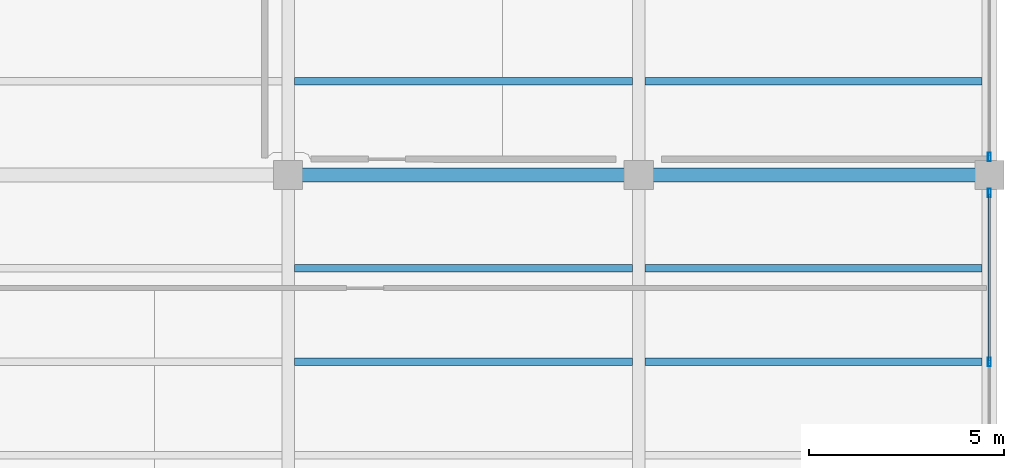
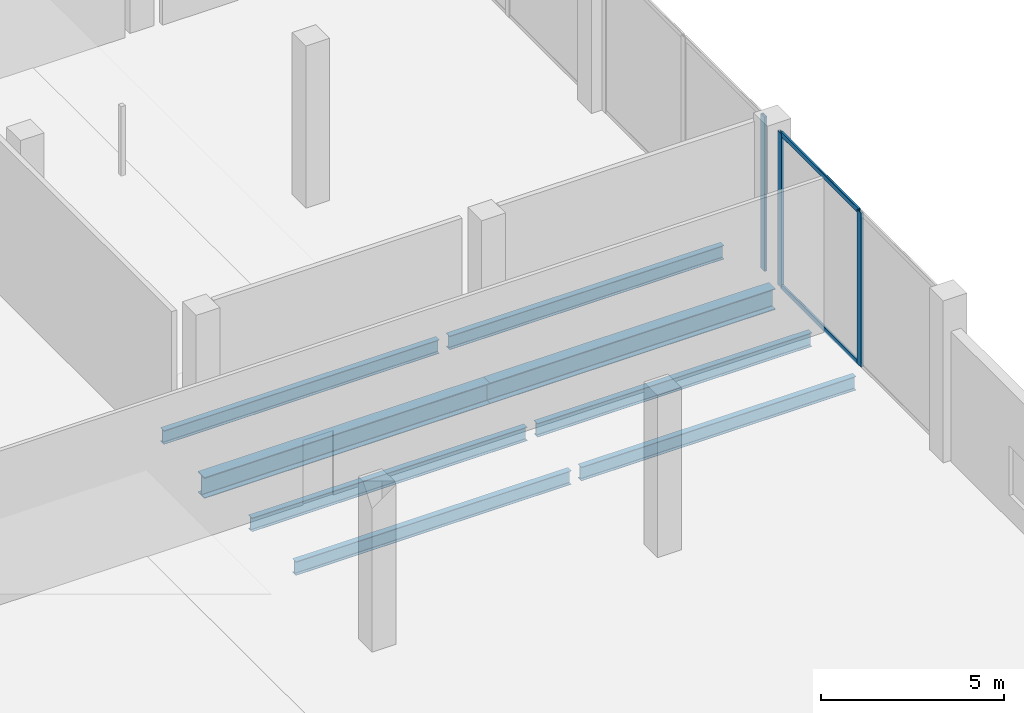
# One storey, part 16 of 47: 8 beams, 5 members, 2 elements without a shape of their own.
"""IFC4 building model written with IfcOpenShell, lengths in metres."""

import ifcopenshell
import ifcopenshell.guid

model = None  # the IFC model being written
_history = None  # IfcOwnerHistory: only IFC2X3 demands one
_inside = {}  # id of a spatial element -> (the spatial element, [elements in it])
_under = {}  # id of a project, library or spatial element -> (it, [spatial elements below it])
_declared = {}  # id of a project -> (the project, [libraries it declares])
_typed = {}  # id of a type object -> (the type object, [elements of that type])
_made_of = {}  # id of a material, layer set ... -> (it, [elements and type objects made of it])


def new_model(schema):
    """Start an empty IFC model of exactly this schema.

    Asked for "IFC4X3", IfcOpenShell would pick the latest addendum, in which some entities
    have other attributes; the version numbers below select the first issue.
    IFC2X3 requires an IfcOwnerHistory on every rooted entity: one is made here for all.
    """
    global model, _history
    if schema == "IFC4X3":
        model = ifcopenshell.file(schema_version=(4, 3, 0, 0))
    else:
        model = ifcopenshell.file(schema=schema)
    _inside.clear()
    _under.clear()
    _declared.clear()
    _typed.clear()
    _made_of.clear()
    _history = None
    if model.schema == "IFC2X3":
        org = make("IfcOrganization", Name="unknown")
        user = make(
            "IfcPersonAndOrganization",
            ThePerson=make("IfcPerson", FamilyName="unknown"),
            TheOrganization=org,
        )
        app = make(
            "IfcApplication",
            ApplicationDeveloper=org,
            Version="unknown",
            ApplicationFullName="unknown",
            ApplicationIdentifier="unknown",
        )
        _history = make(
            "IfcOwnerHistory",
            OwningUser=user,
            OwningApplication=app,
            ChangeAction="ADDED",
            CreationDate=0,
        )
    return model


def make(cls, **values):
    """One entity of the class cls with the attributes given. An attribute that is None is left unset."""
    return model.create_entity(
        cls, **{name: value for name, value in values.items() if value is not None}
    )


def rooted(cls, **values):
    """An entity with a GlobalId (a new one), such as an element, a storey or a relation."""
    return make(cls, GlobalId=ifcopenshell.guid.new(), OwnerHistory=_history, **values)


def si_unit(unit_type, name, prefix=None):
    """IfcSIUnit, for example si_unit("LENGTHUNIT", "METRE", prefix="MILLI")."""
    return make("IfcSIUnit", UnitType=unit_type, Prefix=prefix, Name=name)


def assignment(units):
    """IfcUnitAssignment: the units of a project."""
    return None if units is None else make("IfcUnitAssignment", Units=units)


def point(xyz):
    """IfcCartesianPoint."""
    return None if xyz is None else make("IfcCartesianPoint", Coordinates=xyz)


def direction(xyz):
    """IfcDirection."""
    return None if xyz is None else make("IfcDirection", DirectionRatios=xyz)


def frame(location, z_axis=None, x_axis=None):
    """IfcAxis2Placement3D, a coordinate frame: its origin and axes. An axis left out is left unset."""
    return make(
        "IfcAxis2Placement3D",
        Location=point(location),
        Axis=direction(z_axis),
        RefDirection=direction(x_axis),
    )


def frame_2d(location, x_axis=None):
    """IfcAxis2Placement2D, a coordinate frame in the plane: its origin and x axis."""
    return make(
        "IfcAxis2Placement2D", Location=point(location), RefDirection=direction(x_axis)
    )


def origin():
    """The frame at (0, 0, 0) with its axes left unset."""
    return frame((0.0, 0.0, 0.0))


def origin_2d():
    """The frame at (0, 0) in the plane with its x axis left unset."""
    return frame_2d((0.0, 0.0))


def place(relative_to, where):
    """IfcLocalPlacement: puts the frame where relative to a parent placement (None: the world)."""
    return make(
        "IfcLocalPlacement", PlacementRelTo=relative_to, RelativePlacement=where
    )


def context(
    kind, dimensions, precision=None, world=None, true_north=None, identifier=None
):
    """IfcGeometricRepresentationContext, for example the 3D "Model" context."""
    return make(
        "IfcGeometricRepresentationContext",
        ContextIdentifier=identifier,
        ContextType=kind,
        CoordinateSpaceDimension=dimensions,
        Precision=precision,
        WorldCoordinateSystem=world,
        TrueNorth=true_north,
    )


def subcontext(parent, identifier, kind, view, scale=None):
    """IfcGeometricRepresentationSubContext, for example "Body" below "Model"."""
    return make(
        "IfcGeometricRepresentationSubContext",
        ContextIdentifier=identifier,
        ContextType=kind,
        ParentContext=parent,
        TargetScale=scale,
        TargetView=view,
    )


def project(units=None, contexts=None):
    """IfcProject with its units and contexts."""
    return rooted(
        "IfcProject",
        Name="project",
        RepresentationContexts=contexts,
        UnitsInContext=assignment(units),
    )


def spatial(cls, under=None, at=None, **own):
    """A site, building, storey or space (cls), placed at a placement, below another one or the project."""
    s = rooted(cls, ObjectPlacement=at, **own)
    if under is not None:
        _under.setdefault(under.id(), (under, []))[1].append(s)
    return s


def profile(cls, at=None, kind="AREA", **sizes):
    """A parametric profile (cls). Its sizes go by their IFC names, for example OverallWidth=200.0."""
    return make(cls, ProfileType=kind, Position=at, **sizes)


def hollow_rectangle(**sizes):
    """IfcRectangleHollowProfileDef."""
    return profile("IfcRectangleHollowProfileDef", **sizes)


def i_section(**sizes):
    """IfcIShapeProfileDef."""
    return profile("IfcIShapeProfileDef", **sizes)


def extrude(swept, where, along, depth):
    """IfcExtrudedAreaSolid: the profile swept, set in the frame where, extruded along a direction by depth."""
    return make(
        "IfcExtrudedAreaSolid",
        SweptArea=swept,
        Position=where,
        ExtrudedDirection=direction(along),
        Depth=depth,
    )


def shape(context_of_items, identifier, shape_type, items):
    """IfcShapeRepresentation: the items that make up one representation, for example the "Body"."""
    return make(
        "IfcShapeRepresentation",
        ContextOfItems=context_of_items,
        RepresentationIdentifier=identifier,
        RepresentationType=shape_type,
        Items=items,
    )


def material(Name=None, Category=None):
    """IfcMaterial."""
    return make("IfcMaterial", Name=Name, Category=Category)


def layer(
    of_material, thickness, ventilated=None, Name=None, Category=None, Priority=None
):
    """IfcMaterialLayer: one layer of a wall or slab, of a material (None: an air gap)."""
    return make(
        "IfcMaterialLayer",
        Material=of_material,
        LayerThickness=thickness,
        IsVentilated=ventilated,
        Name=Name,
        Category=Category,
        Priority=Priority,
    )


def layer_set(layers, Name=None):
    """IfcMaterialLayerSet."""
    return make("IfcMaterialLayerSet", MaterialLayers=layers, LayerSetName=Name)


def material_profile(
    of_material, cross_section, Name=None, Category=None, Priority=None
):
    """IfcMaterialProfile: a cross section and its material."""
    return make(
        "IfcMaterialProfile",
        Name=Name,
        Material=of_material,
        Profile=cross_section,
        Priority=Priority,
        Category=Category,
    )


def profile_set(profiles, Name=None, composite=None):
    """IfcMaterialProfileSet."""
    return make(
        "IfcMaterialProfileSet",
        Name=Name,
        MaterialProfiles=profiles,
        CompositeProfile=composite,
    )


def made_of(thing, what):
    """Note that an element or type object is made of a material, layer set ...; save() writes the relation."""
    if what is not None:
        _made_of.setdefault(what.id(), (what, []))[1].append(thing)
    return thing


def type_object(cls, material=None, **own):
    """A type object (cls), such as IfcWallType, which elements share."""
    return made_of(rooted(cls, **own), material)


def element(
    cls,
    number,
    at=None,
    inside=None,
    cuts=None,
    type_object=None,
    material=None,
    context=None,
    identifier="Body",
    shape_type=None,
    held_by="IfcProductDefinitionShape",
    body=None,
    shapes=None,
    **own,
):
    """One element of the class cls, such as IfcWall. Its Tag is "e" and its number.

    at: its placement. inside: the storey or other place that contains it. cuts: it is an
    opening in that element (IfcRelVoidsElement). A single representation is given by context,
    identifier, shape_type and body (its items); several are given by shapes. held_by: the class
    of the entity that holds the representations. save() writes the other relations.
    """
    e = rooted(cls, Tag="e%d" % number, ObjectPlacement=at, **own)
    if body is not None:
        shapes = [shape(context, identifier, shape_type, body)]
    if shapes is not None:
        e.Representation = make(held_by, Representations=shapes)
    if inside is not None:
        _inside.setdefault(inside.id(), (inside, []))[1].append(e)
    if cuts is not None:
        rooted(
            "IfcRelVoidsElement", RelatingBuildingElement=cuts, RelatedOpeningElement=e
        )
    if type_object is not None:
        _typed.setdefault(type_object.id(), (type_object, []))[1].append(e)
    return made_of(e, material)


def aggregate(whole, parts):
    """IfcRelAggregates: a whole, such as a stair, and the parts it consists of."""
    return rooted("IfcRelAggregates", RelatingObject=whole, RelatedObjects=parts)


def save(model, path):
    """Write the relations noted so far, then the file.

    IfcRelAggregates (storeys below a building ...), IfcRelContainedInSpatialStructure (elements
    in a storey), IfcRelDefinesByType, IfcRelAssociatesMaterial and IfcRelDeclares: one each for
    every whole, place, type object, material and project.
    """
    for whole, parts in _under.values():
        aggregate(whole, parts)
    for where, things in _inside.values():
        rooted(
            "IfcRelContainedInSpatialStructure",
            RelatedElements=things,
            RelatingStructure=where,
        )
    for kind, things in _typed.values():
        rooted("IfcRelDefinesByType", RelatedObjects=things, RelatingType=kind)
    for what, things in _made_of.values():
        rooted("IfcRelAssociatesMaterial", RelatedObjects=things, RelatingMaterial=what)
    for by, libraries in _declared.values():
        rooted("IfcRelDeclares", RelatingContext=by, RelatedDefinitions=libraries)
    model.write(path)


model = new_model("IFC4")

# Units and contexts
model_context = context("Model", 3, precision=1e-05, world=origin(), true_north=direction((0.0, 1.0)))
body_context = subcontext(model_context, "Body", "Model", "MODEL_VIEW")
ifc_project = project(units=[si_unit("LENGTHUNIT", "METRE"), si_unit("AREAUNIT", "SQUARE_METRE"), si_unit("VOLUMEUNIT", "CUBIC_METRE"), si_unit("PLANEANGLEUNIT", "RADIAN"), si_unit("MASSUNIT", "GRAM", prefix="KILO")], contexts=[model_context])

# Site, building, storey
site_placement = place(None, origin())
site = spatial("IfcSite", under=ifc_project, at=site_placement, CompositionType="ELEMENT")
building_placement = place(site_placement, origin())
building = spatial("IfcBuilding", under=site, at=building_placement, Name="Qorvath Tower", CompositionType="ELEMENT")
storey_placement = place(building_placement, frame((0.0, 0.0, 6.60009765625)))
storey = spatial("IfcBuildingStorey", under=building, at=storey_placement, Name="L01", CompositionType="ELEMENT", Elevation=6.60009765625)

# Beams
ifc_material_1 = material(Name="Steel ASTM A992 Grade 50", Category="steel")
ifc_material_profile_1 = material_profile(ifc_material_1, i_section(OverallWidth=0.35595703125, OverallDepth=0.696044921875, WebThickness=0.015380859375, FlangeThickness=0.02490234375, FilletRadius=0.01806640625, at=origin_2d()), Name="W27x146")
ifc_profile_set_1 = profile_set([ifc_material_profile_1], Name="Steel ASTM A992 Grade 50")
beam_type_1 = type_object("IfcBeamType", Name="BM-FG4", PredefinedType="BEAM", material=ifc_profile_set_1)
for number, where, z_axis, x_axis, name in (
    (1, (59.39990234375, -9.60009765625, -0.60791015625), (1.0, 0.0, 0.0), (0.0, 1.0, 0.0), "Library E-W Girder L01-4-4"),
    (2, (68.39990234375, -9.60009765625, -0.60791015625), (1.0, 0.0, 0.0), (0.0, 1.0, 0.0), "Library E-W Girder L01-4-5"),
):
    element("IfcBeam", number, at=place(storey_placement, frame(where, z_axis=z_axis, x_axis=x_axis)), inside=storey, type_object=beam_type_1, Name=name, PredefinedType="BEAM", context=body_context, shape_type="SweptSolid", body=[
        extrude(i_section(OverallWidth=0.35595703125, OverallDepth=0.696044921875, WebThickness=0.015380859375, FlangeThickness=0.02490234375, FilletRadius=0.01806640625, at=origin_2d()), origin(), (0.0, 0.0, 1.0), 9.0),
    ])
ifc_material_2 = material(Name="Steel ASTM A992 Grade 50", Category="steel")
ifc_material_profile_2 = material_profile(ifc_material_2, i_section(OverallWidth=0.18994140625, OverallDepth=0.45703125, WebThickness=0.009033203125, FlangeThickness=0.014404296875, FilletRadius=0.011962890625, at=origin_2d()), Name="W18x50")
ifc_profile_set_2 = profile_set([ifc_material_profile_2], Name="Steel ASTM A992 Grade 50")
beam_type_2 = type_object("IfcBeamType", Name="BM-FJ2", PredefinedType="JOIST", material=ifc_profile_set_2)
beam_1_placement = place(storey_placement, frame((59.560546875, -14.39990234375, -0.488525390625), z_axis=(1.0, 0.0, 0.0), x_axis=(0.0, 1.0, 0.0)))
element("IfcBeam", 3, at=beam_1_placement, inside=storey, type_object=beam_type_2, Name="Library Stack Joist L01-3.2-4", PredefinedType="JOIST", context=body_context, shape_type="SweptSolid", body=[
    extrude(i_section(OverallWidth=0.18994140625, OverallDepth=0.45703125, WebThickness=0.009033203125, FlangeThickness=0.014404296875, FilletRadius=0.011962890625, at=origin_2d()), origin(), (0.0, 0.0, 1.0), 8.678955078125),
])
beam_2_placement = place(storey_placement, frame((68.560546875, -14.39990234375, -0.488525390625), z_axis=(1.0, 0.0, 0.0), x_axis=(0.0, 1.0, 0.0)))
element("IfcBeam", 4, at=beam_2_placement, inside=storey, type_object=beam_type_2, Name="Library Stack Joist L01-3.2-5", PredefinedType="JOIST", context=body_context, shape_type="SweptSolid", body=[
    extrude(i_section(OverallWidth=0.18994140625, OverallDepth=0.45703125, WebThickness=0.009033203125, FlangeThickness=0.014404296875, FilletRadius=0.011962890625, at=origin_2d()), origin(), (0.0, 0.0, 1.0), 8.65087890625),
])
beam_3_placement = place(storey_placement, frame((59.560546875, -12.0, -0.488525390625), z_axis=(1.0, 0.0, 0.0), x_axis=(0.0, 1.0, 0.0)))
element("IfcBeam", 5, at=beam_3_placement, inside=storey, type_object=beam_type_2, Name="Library Stack Joist L01-3.3-4", PredefinedType="JOIST", context=body_context, shape_type="SweptSolid", body=[
    extrude(i_section(OverallWidth=0.18994140625, OverallDepth=0.45703125, WebThickness=0.009033203125, FlangeThickness=0.014404296875, FilletRadius=0.011962890625, at=origin_2d()), origin(), (0.0, 0.0, 1.0), 8.678955078125),
])
beam_4_placement = place(storey_placement, frame((68.560546875, -12.0, -0.488525390625), z_axis=(1.0, 0.0, 0.0), x_axis=(0.0, 1.0, 0.0)))
element("IfcBeam", 6, at=beam_4_placement, inside=storey, type_object=beam_type_2, Name="Library Stack Joist L01-3.3-5", PredefinedType="JOIST", context=body_context, shape_type="SweptSolid", body=[
    extrude(i_section(OverallWidth=0.18994140625, OverallDepth=0.45703125, WebThickness=0.009033203125, FlangeThickness=0.014404296875, FilletRadius=0.011962890625, at=origin_2d()), origin(), (0.0, 0.0, 1.0), 8.65087890625),
])
beam_5_placement = place(storey_placement, frame((59.560546875, -7.199951171875, -0.488525390625), z_axis=(1.0, 0.0, 0.0), x_axis=(0.0, 1.0, 0.0)))
element("IfcBeam", 7, at=beam_5_placement, inside=storey, type_object=beam_type_2, Name="Library Stack Joist L01-4.1-4", PredefinedType="JOIST", context=body_context, shape_type="SweptSolid", body=[
    extrude(i_section(OverallWidth=0.18994140625, OverallDepth=0.45703125, WebThickness=0.009033203125, FlangeThickness=0.014404296875, FilletRadius=0.011962890625, at=origin_2d()), origin(), (0.0, 0.0, 1.0), 8.678955078125),
])
beam_6_placement = place(storey_placement, frame((68.560546875, -7.199951171875, -0.488525390625), z_axis=(1.0, 0.0, 0.0), x_axis=(0.0, 1.0, 0.0)))
element("IfcBeam", 8, at=beam_6_placement, inside=storey, type_object=beam_type_2, Name="Library Stack Joist L01-4.1-5", PredefinedType="JOIST", context=body_context, shape_type="SweptSolid", body=[
    extrude(i_section(OverallWidth=0.18994140625, OverallDepth=0.45703125, WebThickness=0.009033203125, FlangeThickness=0.014404296875, FilletRadius=0.011962890625, at=origin_2d()), origin(), (0.0, 0.0, 1.0), 8.65087890625),
])

# Curtain wall, members
ifc_material_3 = material(Name="Anodised aluminium and triple low-E glass", Category="aluminium")
ifc_layer = layer(ifc_material_3, 0.179931640625)
ifc_layer_set = layer_set([ifc_layer], Name="CW-SYS-6")
curtain_wall_type = type_object("IfcCurtainWallType", Name="CW-SYS-6", PredefinedType="NOTDEFINED", material=ifc_layer_set)
curtain_wall_1_placement = place(storey_placement, origin())
curtain_wall_1 = element("IfcCurtainWall", 9, at=curtain_wall_1_placement, inside=storey, type_object=curtain_wall_type, Name="Curtain Wall CW-6 CW-LIB-E-L01-3", PredefinedType="NOTDEFINED")
ifc_material_4 = material(Name="Anodised aluminium 6063-T6", Category="aluminium")
ifc_material_profile_3 = material_profile(ifc_material_4, hollow_rectangle(XDim=0.080078125, YDim=0.219970703125, WallThickness=0.00439453125, InnerFilletRadius=0.00439453125, OuterFilletRadius=0.009033203125, at=origin_2d()), Name="CWM LIB 220x80")
ifc_profile_set_3 = profile_set([ifc_material_profile_3], Name="Anodised aluminium 6063-T6")
member_type_1 = type_object("IfcMemberType", Name="CWM-LIB", PredefinedType="MULLION", material=ifc_profile_set_3)
member_1_placement = place(storey_placement, frame((77.39990234375, -14.39990234375, 0.0), z_axis=(0.0, 0.0, 1.0), x_axis=(-1.0, 0.0, 0.0)))
member_1 = element("IfcMember", 10, at=member_1_placement, type_object=member_type_1, Name="CW-6 mullion 2", PredefinedType="MULLION", context=body_context, shape_type="SweptSolid", body=[
    extrude(hollow_rectangle(XDim=0.080078125, YDim=0.219970703125, WallThickness=0.00439453125, InnerFilletRadius=0.00439453125, OuterFilletRadius=0.009033203125, at=origin_2d()), origin(), (0.0, 0.0, 1.0), 5.139892578125),
])
member_2_placement = place(storey_placement, frame((77.39990234375, -10.06005859375, 0.0), z_axis=(0.0, 0.0, 1.0), x_axis=(-1.0, 0.0, 0.0)))
member_2 = element("IfcMember", 11, at=member_2_placement, type_object=member_type_1, Name="CW-6 mullion 3", PredefinedType="MULLION", context=body_context, shape_type="SweptSolid", body=[
    extrude(hollow_rectangle(XDim=0.080078125, YDim=0.219970703125, WallThickness=0.00439453125, InnerFilletRadius=0.00439453125, OuterFilletRadius=0.009033203125, at=origin_2d()), origin(), (0.0, 0.0, 1.0), 5.139892578125),
])

# Curtain wall, member
curtain_wall_2_placement = place(storey_placement, origin())
curtain_wall_2 = element("IfcCurtainWall", 12, at=curtain_wall_2_placement, inside=storey, type_object=curtain_wall_type, Name="Curtain Wall CW-6 CW-LIB-E-L01-4", PredefinedType="NOTDEFINED")
member_3_placement = place(storey_placement, frame((77.39990234375, -9.139892578125, 0.0), z_axis=(0.0, 0.0, 1.0), x_axis=(-1.0, 0.0, 0.0)))
member_3 = element("IfcMember", 13, at=member_3_placement, type_object=member_type_1, Name="CW-6 mullion 1", PredefinedType="MULLION", context=body_context, shape_type="SweptSolid", body=[
    extrude(hollow_rectangle(XDim=0.080078125, YDim=0.219970703125, WallThickness=0.00439453125, InnerFilletRadius=0.00439453125, OuterFilletRadius=0.009033203125, at=origin_2d()), origin(), (0.0, 0.0, 1.0), 5.139892578125),
])
aggregate(curtain_wall_2, [member_3])

# Member
ifc_material_5 = material(Name="Anodised aluminium 6063-T6", Category="aluminium")
ifc_material_profile_4 = material_profile(ifc_material_5, hollow_rectangle(XDim=0.06494140625, YDim=0.159912109375, WallThickness=0.00341796875, InnerFilletRadius=0.00341796875, OuterFilletRadius=0.007080078125, at=origin_2d()), Name="CWT 160x65")
ifc_profile_set_4 = profile_set([ifc_material_profile_4], Name="Anodised aluminium 6063-T6")
member_type_2 = type_object("IfcMemberType", Name="CWT-160", PredefinedType="USERDEFINED", material=ifc_profile_set_4)
member_4_placement = place(storey_placement, frame((77.39990234375, -14.360107421875, 0.032470703125), z_axis=(0.0, 1.0, 0.0), x_axis=(-1.0, 0.0, 0.0)))
member_4 = element("IfcMember", 14, at=member_4_placement, type_object=member_type_2, Name="CW-6 transom 2.1", ObjectType="TRANSOM", PredefinedType="USERDEFINED", context=body_context, shape_type="SweptSolid", body=[
    extrude(hollow_rectangle(XDim=0.06494140625, YDim=0.159912109375, WallThickness=0.00341796875, InnerFilletRadius=0.00341796875, OuterFilletRadius=0.007080078125, at=origin_2d()), origin(), (0.0, 0.0, 1.0), 4.260009765625),
])

member_5_placement = place(storey_placement, frame((77.39990234375, -14.360107421875, 5.107421875), z_axis=(0.0, 1.0, 0.0), x_axis=(-1.0, 0.0, 0.0)))
member_5 = element("IfcMember", 15, at=member_5_placement, type_object=member_type_2, Name="CW-6 transom 2.2", ObjectType="TRANSOM", PredefinedType="USERDEFINED", context=body_context, shape_type="SweptSolid", body=[
    extrude(hollow_rectangle(XDim=0.06494140625, YDim=0.159912109375, WallThickness=0.00341796875, InnerFilletRadius=0.00341796875, OuterFilletRadius=0.007080078125, at=origin_2d()), origin(), (0.0, 0.0, 1.0), 4.260009765625),
])

aggregate(curtain_wall_1, [member_1, member_2, member_4, member_5])

save(model, "model.ifc")
